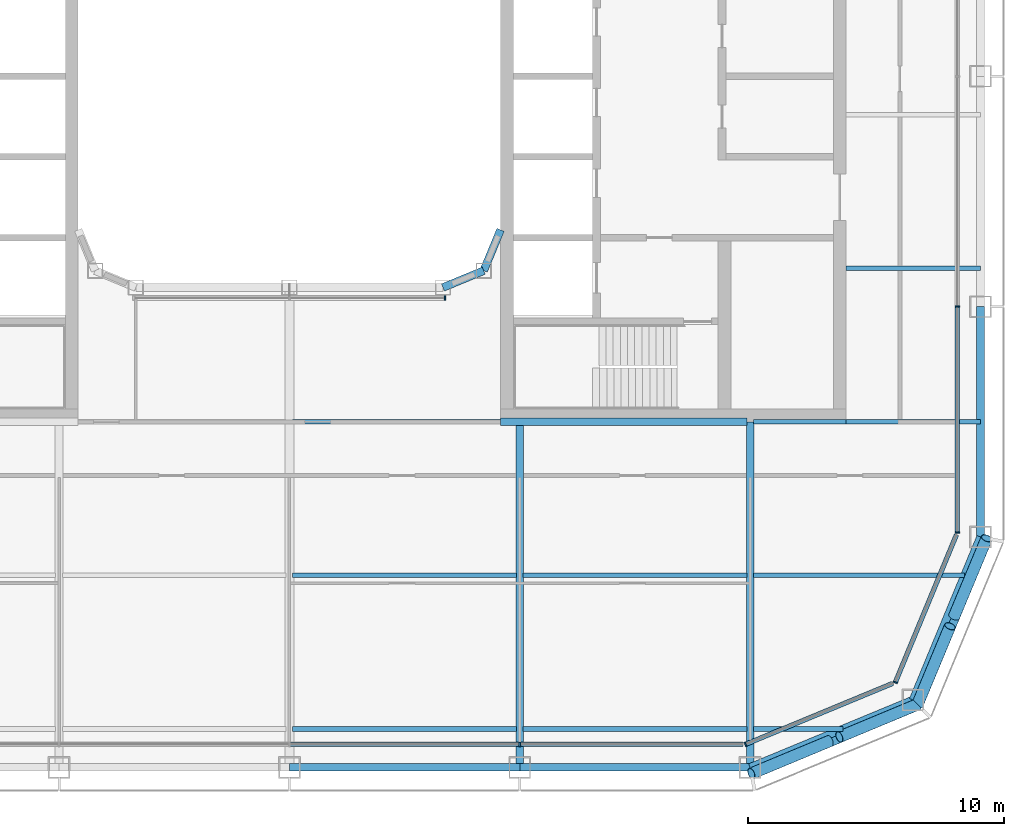
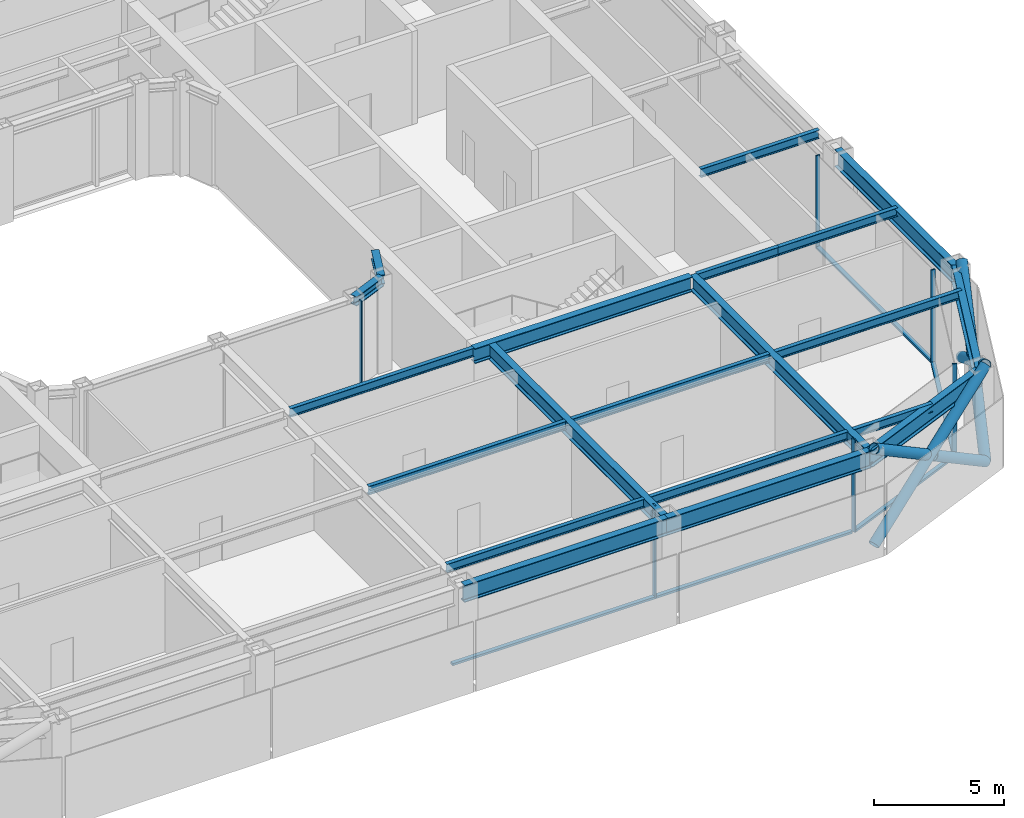
# One storey, part 4 of 19: 20 beams, 17 members, 5 elements without a shape of their own.
"""IFC4 building model written with IfcOpenShell, lengths in metres."""

from ifc_helpers import new_model, si_unit, direction, frame, origin, origin_2d, place, context, subcontext, project, spatial, rectangle, hollow_circle, i_section, extrude, material, layer, layer_set, material_profile, profile_set, type_object, element, aggregate, save


model = new_model("IFC4")

# Units and contexts
model_context = context("Model", 3, precision=1e-05, world=origin(), true_north=direction((0.0, 1.0)))
body_context = subcontext(model_context, "Body", "Model", "MODEL_VIEW")
ifc_project = project(units=[si_unit("LENGTHUNIT", "METRE"), si_unit("AREAUNIT", "SQUARE_METRE"), si_unit("VOLUMEUNIT", "CUBIC_METRE"), si_unit("PLANEANGLEUNIT", "RADIAN"), si_unit("MASSUNIT", "GRAM", prefix="KILO")], contexts=[model_context])

# Site, building, storey
site_placement = place(None, origin())
site = spatial("IfcSite", under=ifc_project, at=site_placement, CompositionType="ELEMENT")
building_placement = place(site_placement, origin())
building = spatial("IfcBuilding", under=site, at=building_placement, Name="Siwar Civic Tower", CompositionType="ELEMENT")
storey_placement = place(building_placement, frame((0.0, 0.0, 192.699951171875)))
storey = spatial("IfcBuildingStorey", under=building, at=storey_placement, Name="L41", CompositionType="ELEMENT", Elevation=192.699951171875)

# Curtain wall, member
ifc_material_1 = material(Name="Aluminium and glass", Category="aluminium")
ifc_layer_1 = layer(ifc_material_1, 0.179931640625)
ifc_layer_set_1 = layer_set([ifc_layer_1], Name="Aluminium and glass")
curtain_wall_type_1 = type_object("IfcCurtainWallType", Name="ENV-CW-C", PredefinedType="NOTDEFINED", material=ifc_layer_set_1)
curtain_wall_1_placement = place(storey_placement, origin())
curtain_wall_1 = element("IfcCurtainWall", 1, at=curtain_wall_1_placement, inside=storey, type_object=curtain_wall_type_1, Name="Curtain wall C S", PredefinedType="NOTDEFINED")
ifc_material_2 = material(Name="Aluminium 6063-T6", Category="aluminium")
ifc_material_profile_1 = material_profile(ifc_material_2, rectangle(XDim=0.179931640625, YDim=0.06005859375, at=origin_2d()), Name="AL 180x60")
ifc_profile_set_1 = profile_set([ifc_material_profile_1], Name="Aluminium 6063-T6")
member_type_1 = type_object("IfcMemberType", Name="ENV-MULLION-C", PredefinedType="MULLION", material=ifc_profile_set_1)
member_1_placement = place(storey_placement, frame((9.0, -26.10009765625, 0.0), z_axis=(0.0, 0.0, 1.0), x_axis=(0.0, 1.0, 0.0)))
member_1 = element("IfcMember", 2, at=member_1_placement, type_object=member_type_1, Name="Mullion C S 4", PredefinedType="MULLION", context=body_context, shape_type="SweptSolid", body=[
    extrude(rectangle(XDim=0.179931640625, YDim=0.06005859375, at=origin_2d()), origin(), (0.0, 0.0, 1.0), 4.35009765625),
])

ifc_material_3 = material(Name="Aluminium clad insulated panel", Category="aluminium")
ifc_layer_2 = layer(ifc_material_3, 0.179931640625)
ifc_layer_set_2 = layer_set([ifc_layer_2], Name="Aluminium clad insulated panel")
curtain_wall_type_2 = type_object("IfcCurtainWallType", Name="ENV-CW-CX", PredefinedType="NOTDEFINED", material=ifc_layer_set_2)
curtain_wall_2_placement = place(storey_placement, origin())
curtain_wall_2 = element("IfcCurtainWall", 3, at=curtain_wall_2_placement, inside=storey, type_object=curtain_wall_type_2, Name="Curtain wall C SE1", PredefinedType="NOTDEFINED")
member_2_placement = place(storey_placement, frame((17.821044921875, -26.10009765625, 0.0), z_axis=(0.0, 0.0, 1.0), x_axis=(-0.382683432365, 0.923879532511, 0.0)))
member_2 = element("IfcMember", 4, at=member_2_placement, type_object=member_type_1, Name="Mullion C SE1 1", PredefinedType="MULLION", context=body_context, shape_type="SweptSolid", body=[
    extrude(rectangle(XDim=0.179931640625, YDim=0.06005859375, at=origin_2d()), origin(), (0.0, 0.0, 1.0), 4.35009765625),
])

curtain_wall_3_placement = place(storey_placement, origin())
curtain_wall_3 = element("IfcCurtainWall", 5, at=curtain_wall_3_placement, inside=storey, type_object=curtain_wall_type_2, Name="Curtain wall C SE2", PredefinedType="NOTDEFINED")
member_3_placement = place(storey_placement, frame((23.675048828125, -23.675048828125, 0.0), z_axis=(0.0, 0.0, 1.0), x_axis=(-0.923879532511, 0.382683432365, 0.0)))
member_3 = element("IfcMember", 6, at=member_3_placement, type_object=member_type_1, Name="Mullion C SE2 1", PredefinedType="MULLION", context=body_context, shape_type="SweptSolid", body=[
    extrude(rectangle(XDim=0.179931640625, YDim=0.06005859375, at=origin_2d()), origin(), (0.0, 0.0, 1.0), 4.35009765625),
])

# Curtain wall, members
curtain_wall_4_placement = place(storey_placement, origin())
curtain_wall_4 = element("IfcCurtainWall", 7, at=curtain_wall_4_placement, inside=storey, type_object=curtain_wall_type_1, Name="Curtain wall C E", PredefinedType="NOTDEFINED")
member_4_placement = place(storey_placement, frame((26.10009765625, -17.821044921875, 0.0), z_axis=(0.0, 0.0, 1.0), x_axis=(-1.0, 0.0, 0.0)))
member_4 = element("IfcMember", 8, at=member_4_placement, type_object=member_type_1, Name="Mullion C E 1", PredefinedType="MULLION", context=body_context, shape_type="SweptSolid", body=[
    extrude(rectangle(XDim=0.179931640625, YDim=0.06005859375, at=origin_2d()), origin(), (0.0, 0.0, 1.0), 4.35009765625),
])
member_5_placement = place(storey_placement, frame((26.10009765625, -9.0, 0.0), z_axis=(0.0, 0.0, 1.0), x_axis=(-1.0, 0.0, 0.0)))
member_5 = element("IfcMember", 9, at=member_5_placement, type_object=member_type_1, Name="Mullion C E 2", PredefinedType="MULLION", context=body_context, shape_type="SweptSolid", body=[
    extrude(rectangle(XDim=0.179931640625, YDim=0.06005859375, at=origin_2d()), origin(), (0.0, 0.0, 1.0), 4.35009765625),
])

# Curtain wall, member
ifc_material_4 = material(Name="Aluminium and glass", Category="aluminium")
ifc_layer_3 = layer(ifc_material_4, 0.179931640625)
ifc_layer_set_3 = layer_set([ifc_layer_3], Name="Aluminium and glass")
curtain_wall_type_3 = type_object("IfcCurtainWallType", Name="ENV-CW-W", PredefinedType="NOTDEFINED", material=ifc_layer_set_3)
curtain_wall_5_placement = place(storey_placement, origin())
curtain_wall_5 = element("IfcCurtainWall", 10, at=curtain_wall_5_placement, inside=storey, type_object=curtain_wall_type_3, Name="Curtain wall W WS", PredefinedType="NOTDEFINED")
ifc_material_5 = material(Name="Aluminium 6063-T6", Category="aluminium")
ifc_material_profile_2 = material_profile(ifc_material_5, rectangle(XDim=0.179931640625, YDim=0.06005859375, at=origin_2d()), Name="AL 180x60")
ifc_profile_set_2 = profile_set([ifc_material_profile_2], Name="Aluminium 6063-T6")
member_type_2 = type_object("IfcMemberType", Name="ENV-MULLION-W", PredefinedType="MULLION", material=ifc_profile_set_2)
member_6_placement = place(storey_placement, frame((6.08154296875, -8.659912109375, 0.0), z_axis=(0.0, 0.0, 1.0), x_axis=(0.0, 1.0, 0.0)))
member_6 = element("IfcMember", 11, at=member_6_placement, type_object=member_type_2, Name="Mullion W WS 3", PredefinedType="MULLION", context=body_context, shape_type="SweptSolid", body=[
    extrude(rectangle(XDim=0.179931640625, YDim=0.06005859375, at=origin_2d()), origin(), (0.0, 0.0, 1.0), 4.35009765625),
])
aggregate(curtain_wall_5, [member_6])

# Member
ifc_material_6 = material(Name="Aluminium 6063-T6", Category="aluminium")
ifc_material_profile_3 = material_profile(ifc_material_6, rectangle(XDim=0.179931640625, YDim=0.10009765625, at=origin_2d()), Name="AL 180x100")
ifc_profile_set_3 = profile_set([ifc_material_profile_3], Name="Aluminium 6063-T6")
member_type_3 = type_object("IfcMemberType", Name="ENV-TRANSOM-C", PredefinedType="USERDEFINED", material=ifc_profile_set_3)
member_7_placement = place(storey_placement, frame((0.030029296875, -26.10009765625, 0.050048828125), z_axis=(1.0, 0.0, 0.0), x_axis=(0.0, 1.0, 0.0)))
member_7 = element("IfcMember", 12, at=member_7_placement, type_object=member_type_3, Name="Transom C S 3", ObjectType="TRANSOM", PredefinedType="USERDEFINED", context=body_context, shape_type="SweptSolid", body=[
    extrude(rectangle(XDim=0.179931640625, YDim=0.10009765625, at=origin_2d()), origin(), (0.0, 0.0, 1.0), 8.93994140625),
])

member_8_placement = place(storey_placement, frame((9.030029296875, -26.10009765625, 0.050048828125), z_axis=(1.0, 0.0, 0.0), x_axis=(0.0, 1.0, 0.0)))
member_8 = element("IfcMember", 13, at=member_8_placement, type_object=member_type_3, Name="Transom C S 4", ObjectType="TRANSOM", PredefinedType="USERDEFINED", context=body_context, shape_type="SweptSolid", body=[
    extrude(rectangle(XDim=0.179931640625, YDim=0.10009765625, at=origin_2d()), origin(), (0.0, 0.0, 1.0), 8.68603515625),
])

aggregate(curtain_wall_1, [member_1, member_7, member_8])

member_9_placement = place(storey_placement, frame((17.8486328125, -26.088623046875, 0.050048828125), z_axis=(0.923882011223, 0.38267744817, 0.0), x_axis=(-0.38267744817, 0.923882011223, 0.0)))
member_9 = element("IfcMember", 14, at=member_9_placement, type_object=member_type_3, Name="Transom C SE1 1", ObjectType="TRANSOM", PredefinedType="USERDEFINED", context=body_context, shape_type="SweptSolid", body=[
    extrude(rectangle(XDim=0.179931640625, YDim=0.10009765625, at=origin_2d()), origin(), (0.0, 0.0, 1.0), 6.201904296875),
])

aggregate(curtain_wall_2, [member_2, member_9])

member_10_placement = place(storey_placement, frame((23.6865234375, -23.6474609375, 0.050048828125), z_axis=(0.382691366456, 0.923876246063, 0.0), x_axis=(-0.923876246063, 0.382691366456, 0.0)))
member_10 = element("IfcMember", 15, at=member_10_placement, type_object=member_type_3, Name="Transom C SE2 1", ObjectType="TRANSOM", PredefinedType="USERDEFINED", context=body_context, shape_type="SweptSolid", body=[
    extrude(rectangle(XDim=0.179931640625, YDim=0.10009765625, at=origin_2d()), origin(), (0.0, 0.0, 1.0), 6.20166015625),
])

aggregate(curtain_wall_3, [member_3, member_10])

member_11_placement = place(storey_placement, frame((26.10009765625, -17.791015625, 0.050048828125), z_axis=(0.0, 1.0, 0.0), x_axis=(-1.0, 0.0, 0.0)))
member_11 = element("IfcMember", 16, at=member_11_placement, type_object=member_type_3, Name="Transom C E 1", ObjectType="TRANSOM", PredefinedType="USERDEFINED", context=body_context, shape_type="SweptSolid", body=[
    extrude(rectangle(XDim=0.179931640625, YDim=0.10009765625, at=origin_2d()), origin(), (0.0, 0.0, 1.0), 8.760986328125),
])

aggregate(curtain_wall_4, [member_4, member_5, member_11])

# Members
ifc_material_7 = material(Name="Steel S355", Category="steel")
ifc_material_profile_4 = material_profile(ifc_material_7, hollow_circle(Radius=0.228515625, WallThickness=0.02001953125, at=origin_2d()), Name="CHS457x20")
ifc_profile_set_4 = profile_set([ifc_material_profile_4], Name="Steel S355")
member_type_4 = type_object("IfcMemberType", Name="STR-BR-CHS457x20", PredefinedType="BRACE", material=ifc_profile_set_4)
member_12_placement = place(storey_placement, frame((27.2451171875, -18.048828125, 0.0), z_axis=(-0.323905527954, -0.777554562952, 0.538975055633), x_axis=(0.923108759191, -0.384538969033, 0.0)))
element("IfcMember", 17, at=member_12_placement, inside=storey, type_object=member_type_4, Name="L41/brc/CSE1-1-0-1", PredefinedType="BRACE", context=body_context, shape_type="SweptSolid", body=[
    extrude(hollow_circle(Radius=0.228515625, WallThickness=0.02001953125, at=origin_2d()), origin(), (0.0, 0.0, 1.0), 8.34912109375),
])
for number, where, z_axis, x_axis, name in (
    (18, (24.540771484375, -24.540771484375, 0.0), (0.323884455881, 0.777546448489, 0.538999424564), (-0.92311621485, 0.38452107079, 0.0), "L41/brc/CSE1-1-0-2"),
    (19, (25.972900390625, -21.10302734375, 2.383056640625), (0.323895306243, 0.777572496853, 0.538955325357), (-0.92311621485, 0.38452107079, 0.0), "L41/brc/CSE1-1-0-3"),
):
    element("IfcMember", number, at=place(storey_placement, frame(where, z_axis=z_axis, x_axis=x_axis)), inside=storey, type_object=member_type_4, Name=name, PredefinedType="BRACE", context=body_context, shape_type="SweptSolid", body=[
        extrude(hollow_circle(Radius=0.228515625, WallThickness=0.02001953125, at=origin_2d()), origin(), (0.0, 0.0, 1.0), 3.927978515625),
    ])
member_13_placement = place(storey_placement, frame((18.048828125, -27.2451171875, 0.0), z_axis=(0.777554562952, 0.323905527954, 0.538975055633), x_axis=(-0.384538969033, 0.923108759191, 0.0)))
element("IfcMember", 20, at=member_13_placement, inside=storey, type_object=member_type_4, Name="L41/brc/CSE1-1-0-0", PredefinedType="BRACE", context=body_context, shape_type="SweptSolid", body=[
    extrude(hollow_circle(Radius=0.228515625, WallThickness=0.02001953125, at=origin_2d()), origin(), (0.0, 0.0, 1.0), 8.34912109375),
])
for number, where, z_axis, x_axis, name in (
    (21, (24.540771484375, -24.540771484375, 0.0), (-0.777546448489, -0.323884455881, 0.538999424564), (0.38452107079, -0.92311621485, 0.0), "L41/brc/CSE1-1-0-4"),
    (22, (21.10302734375, -25.972900390625, 2.383056640625), (-0.777572496853, -0.323895306243, 0.538955325357), (0.38452107079, -0.92311621485, 0.0), "L41/brc/CSE1-1-0-5"),
):
    element("IfcMember", number, at=place(storey_placement, frame(where, z_axis=z_axis, x_axis=x_axis)), inside=storey, type_object=member_type_4, Name=name, PredefinedType="BRACE", context=body_context, shape_type="SweptSolid", body=[
        extrude(hollow_circle(Radius=0.228515625, WallThickness=0.02001953125, at=origin_2d()), origin(), (0.0, 0.0, 1.0), 3.927978515625),
    ])

# Beams
ifc_material_8 = material(Name="Steel S355", Category="steel")
ifc_material_profile_5 = material_profile(ifc_material_8, i_section(OverallWidth=0.179931640625, OverallDepth=0.39990234375, WebThickness=0.008544921875, FlangeThickness=0.013427734375, FilletRadius=0.02099609375, at=origin_2d()), Name="IPE400")
ifc_profile_set_5 = profile_set([ifc_material_profile_5], Name="Steel S355")
beam_type_1 = type_object("IfcBeamType", Name="STR-FB-IPE400", PredefinedType="JOIST", material=ifc_profile_set_5)
for number, where, z_axis, x_axis, name in (
    (23, (0.1298828125, -25.5, 4.150146484375), (1.0, 0.0, 0.0), (0.0, 1.0, 0.0), "L41/bm/F004"),
    (24, (9.1298828125, -25.5, 4.150146484375), (1.0, 0.0, 0.0), (0.0, 1.0, 0.0), "L41/bm/F005"),
):
    element("IfcBeam", number, at=place(storey_placement, frame(where, z_axis=z_axis, x_axis=x_axis)), inside=storey, type_object=beam_type_1, Name=name, PredefinedType="JOIST", context=body_context, shape_type="SweptSolid", body=[
        extrude(i_section(OverallWidth=0.179931640625, OverallDepth=0.39990234375, WebThickness=0.008544921875, FlangeThickness=0.013427734375, FilletRadius=0.02099609375, at=origin_2d()), origin(), (0.0, 0.0, 1.0), 8.740234375),
    ])
beam_1_placement = place(storey_placement, frame((18.1298828125, -25.5, 4.150146484375), z_axis=(1.0, 0.0, 0.0), x_axis=(0.0, 1.0, 0.0)))
element("IfcBeam", 25, at=beam_1_placement, inside=storey, type_object=beam_type_1, Name="L41/bm/F006", PredefinedType="JOIST", context=body_context, shape_type="SweptSolid", body=[
    extrude(i_section(OverallWidth=0.179931640625, OverallDepth=0.39990234375, WebThickness=0.008544921875, FlangeThickness=0.013427734375, FilletRadius=0.02099609375, at=origin_2d()), origin(), (0.0, 0.0, 1.0), 3.491455078125),
])
for number, where, z_axis, x_axis, name in (
    (26, (0.1298828125, -19.5, 4.150146484375), (1.0, 0.0, 0.0), (0.0, 1.0, 0.0), "L41/bm/F010"),
    (27, (9.1298828125, -19.5, 4.150146484375), (1.0, 0.0, 0.0), (0.0, 1.0, 0.0), "L41/bm/F011"),
):
    element("IfcBeam", number, at=place(storey_placement, frame(where, z_axis=z_axis, x_axis=x_axis)), inside=storey, type_object=beam_type_1, Name=name, PredefinedType="JOIST", context=body_context, shape_type="SweptSolid", body=[
        extrude(i_section(OverallWidth=0.179931640625, OverallDepth=0.39990234375, WebThickness=0.008544921875, FlangeThickness=0.013427734375, FilletRadius=0.02099609375, at=origin_2d()), origin(), (0.0, 0.0, 1.0), 8.740234375),
    ])
beam_2_placement = place(storey_placement, frame((18.1298828125, -19.5, 4.150146484375), z_axis=(1.0, 0.0, 0.0), x_axis=(0.0, 1.0, 0.0)))
element("IfcBeam", 28, at=beam_2_placement, inside=storey, type_object=beam_type_1, Name="L41/bm/F012", PredefinedType="JOIST", context=body_context, shape_type="SweptSolid", body=[
    extrude(i_section(OverallWidth=0.179931640625, OverallDepth=0.39990234375, WebThickness=0.008544921875, FlangeThickness=0.013427734375, FilletRadius=0.02099609375, at=origin_2d()), origin(), (0.0, 0.0, 1.0), 8.248779296875),
])
beam_3_placement = place(storey_placement, frame((0.1298828125, -13.5, 4.150146484375), z_axis=(1.0, 0.0, 0.0), x_axis=(0.0, 1.0, 0.0)))
element("IfcBeam", 29, at=beam_3_placement, inside=storey, type_object=beam_type_1, Name="L41/bm/F017", PredefinedType="JOIST", context=body_context, shape_type="SweptSolid", body=[
    extrude(i_section(OverallWidth=0.179931640625, OverallDepth=0.39990234375, WebThickness=0.008544921875, FlangeThickness=0.013427734375, FilletRadius=0.02099609375, at=origin_2d()), origin(), (0.0, 0.0, 1.0), 8.1201171875),
])
beam_4_placement = place(storey_placement, frame((18.1298828125, -13.5, 4.150146484375), z_axis=(1.0, 0.0, 0.0), x_axis=(0.0, 1.0, 0.0)))
element("IfcBeam", 30, at=beam_4_placement, inside=storey, type_object=beam_type_1, Name="L41/bm/F019", PredefinedType="JOIST", context=body_context, shape_type="SweptSolid", body=[
    extrude(i_section(OverallWidth=0.179931640625, OverallDepth=0.39990234375, WebThickness=0.008544921875, FlangeThickness=0.013427734375, FilletRadius=0.02099609375, at=origin_2d()), origin(), (0.0, 0.0, 1.0), 3.6201171875),
])
for number, where, z_axis, x_axis, name in (
    (31, (21.75, -13.5, 4.150146484375), (1.0, 0.0, 0.0), (0.0, 1.0, 0.0), "L41/bm/F020"),
    (32, (21.75, -7.5, 4.150146484375), (1.0, 0.0, 0.0), (0.0, 1.0, 0.0), "L41/bm/F022"),
):
    element("IfcBeam", number, at=place(storey_placement, frame(where, z_axis=z_axis, x_axis=x_axis)), inside=storey, type_object=beam_type_1, Name=name, PredefinedType="JOIST", context=body_context, shape_type="SweptSolid", body=[
        extrude(i_section(OverallWidth=0.179931640625, OverallDepth=0.39990234375, WebThickness=0.008544921875, FlangeThickness=0.013427734375, FilletRadius=0.02099609375, at=origin_2d()), origin(), (0.0, 0.0, 1.0), 5.25),
    ])
ifc_material_9 = material(Name="Steel S355", Category="steel")
ifc_material_profile_6 = material_profile(ifc_material_9, i_section(OverallWidth=0.300048828125, OverallDepth=0.699951171875, WebThickness=0.01708984375, FlangeThickness=0.031982421875, FilletRadius=0.027099609375, at=origin_2d()), Name="HEB700")
ifc_profile_set_6 = profile_set([ifc_material_profile_6], Name="Steel S355")
beam_type_2 = type_object("IfcBeamType", Name="STR-PG-HEB700", PredefinedType="BEAM", material=ifc_profile_set_6)
for number, where, z_axis, x_axis, name in (
    (33, (9.0, -27.0, 4.0), (0.0, 1.0, 0.0), (-1.0, 0.0, 0.0), "L41/bm/G07"),
    (34, (18.0, -27.0, 4.0), (0.0, 1.0, 0.0), (-1.0, 0.0, 0.0), "L41/bm/G09"),
):
    element("IfcBeam", number, at=place(storey_placement, frame(where, z_axis=z_axis, x_axis=x_axis)), inside=storey, type_object=beam_type_2, Name=name, PredefinedType="BEAM", context=body_context, shape_type="SweptSolid", body=[
        extrude(i_section(OverallWidth=0.300048828125, OverallDepth=0.699951171875, WebThickness=0.01708984375, FlangeThickness=0.031982421875, FilletRadius=0.027099609375, at=origin_2d()), origin(), (0.0, 0.0, 1.0), 13.5),
    ])
beam_5_placement = place(storey_placement, frame((8.25, -13.5, 4.0), z_axis=(1.0, 0.0, 0.0), x_axis=(0.0, 1.0, 0.0)))
element("IfcBeam", 35, at=beam_5_placement, inside=storey, type_object=beam_type_2, Name="L41/bm/F018", PredefinedType="BEAM", context=body_context, shape_type="SweptSolid", body=[
    extrude(i_section(OverallWidth=0.300048828125, OverallDepth=0.699951171875, WebThickness=0.01708984375, FlangeThickness=0.031982421875, FilletRadius=0.027099609375, at=origin_2d()), origin(), (0.0, 0.0, 1.0), 9.6201171875),
])
ifc_material_10 = material(Name="Steel S355", Category="steel")
ifc_material_profile_7 = material_profile(ifc_material_10, i_section(OverallWidth=0.306884765625, OverallDepth=0.431884765625, WebThickness=0.02099609375, FlangeThickness=0.0400390625, FilletRadius=0.027099609375, at=origin_2d()), Name="HEM400")
ifc_profile_set_7 = profile_set([ifc_material_profile_7], Name="Steel S355")
beam_type_3 = type_object("IfcBeamType", Name="STR-RB-HEM400", PredefinedType="BEAM", material=ifc_profile_set_7)
for number, where, z_axis, x_axis, name in (
    (36, (6.0, -8.25, 4.134033203125), (0.923901072997, 0.382631424892, 0.0), (-0.382631424892, 0.923901072997, 0.0), "L41/bm/RS3"),
    (37, (7.591064453125, -7.591064453125, 4.134033203125), (0.382631424892, 0.923901072997, 0.0), (-0.923901072997, 0.382631424892, 0.0), "L41/bm/RSEE"),
):
    element("IfcBeam", number, at=place(storey_placement, frame(where, z_axis=z_axis, x_axis=x_axis)), inside=storey, type_object=beam_type_3, Name=name, PredefinedType="BEAM", context=body_context, shape_type="SweptSolid", body=[
        extrude(i_section(OverallWidth=0.306884765625, OverallDepth=0.431884765625, WebThickness=0.02099609375, FlangeThickness=0.0400390625, FilletRadius=0.027099609375, at=origin_2d()), origin(), (0.0, 0.0, 1.0), 1.72216796875),
    ])
ifc_material_11 = material(Name="Steel S355", Category="steel")
ifc_material_profile_8 = material_profile(ifc_material_11, i_section(OverallWidth=0.300048828125, OverallDepth=0.800048828125, WebThickness=0.017578125, FlangeThickness=0.032958984375, FilletRadius=0.030029296875, at=origin_2d()), Name="HEB800")
ifc_profile_set_8 = profile_set([ifc_material_profile_8], Name="Steel S355")
beam_type_4 = type_object("IfcBeamType", Name="STR-SB-HEB800", PredefinedType="BEAM", material=ifc_profile_set_8)
for number, where, z_axis, x_axis, name in (
    (38, (0.0, -27.0, 3.949951171875), (1.0, 0.0, 0.0), (0.0, 1.0, 0.0), "L41/bm/SS-2"),
    (39, (9.0, -27.0, 3.949951171875), (1.0, 0.0, 0.0), (0.0, 1.0, 0.0), "L41/bm/SS-3"),
):
    element("IfcBeam", number, at=place(storey_placement, frame(where, z_axis=z_axis, x_axis=x_axis)), inside=storey, type_object=beam_type_4, Name=name, PredefinedType="BEAM", context=body_context, shape_type="SweptSolid", body=[
        extrude(i_section(OverallWidth=0.300048828125, OverallDepth=0.800048828125, WebThickness=0.017578125, FlangeThickness=0.032958984375, FilletRadius=0.030029296875, at=origin_2d()), origin(), (0.0, 0.0, 1.0), 9.0),
    ])
for number, where, z_axis, x_axis, name in (
    (40, (18.0, -27.0, 3.949951171875), (0.923883353507, 0.382674207535, 0.0), (-0.382674207535, 0.923883353507, 0.0), "L41/bm/SSE1-0"),
    (41, (24.364013671875, -24.364013671875, 3.949951171875), (0.382674207535, 0.923883353507, 0.0), (-0.923883353507, 0.382674207535, 0.0), "L41/bm/SSE2-0"),
):
    element("IfcBeam", number, at=place(storey_placement, frame(where, z_axis=z_axis, x_axis=x_axis)), inside=storey, type_object=beam_type_4, Name=name, PredefinedType="BEAM", context=body_context, shape_type="SweptSolid", body=[
        extrude(i_section(OverallWidth=0.300048828125, OverallDepth=0.800048828125, WebThickness=0.017578125, FlangeThickness=0.032958984375, FilletRadius=0.030029296875, at=origin_2d()), origin(), (0.0, 0.0, 1.0), 6.888427734375),
    ])
beam_6_placement = place(storey_placement, frame((27.0, -18.0, 3.949951171875), z_axis=(0.0, 1.0, 0.0), x_axis=(-1.0, 0.0, 0.0)))
element("IfcBeam", 42, at=beam_6_placement, inside=storey, type_object=beam_type_4, Name="L41/bm/SE-0", PredefinedType="BEAM", context=body_context, shape_type="SweptSolid", body=[
    extrude(i_section(OverallWidth=0.300048828125, OverallDepth=0.800048828125, WebThickness=0.017578125, FlangeThickness=0.032958984375, FilletRadius=0.030029296875, at=origin_2d()), origin(), (0.0, 0.0, 1.0), 9.0),
])

save(model, "model.ifc")
